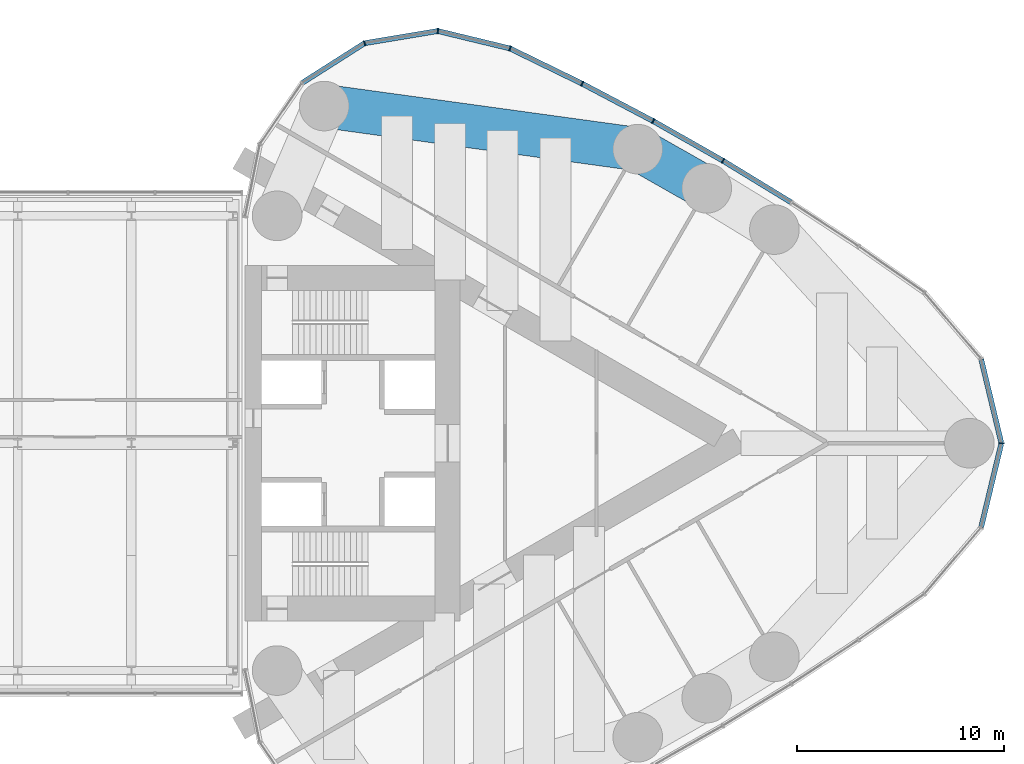
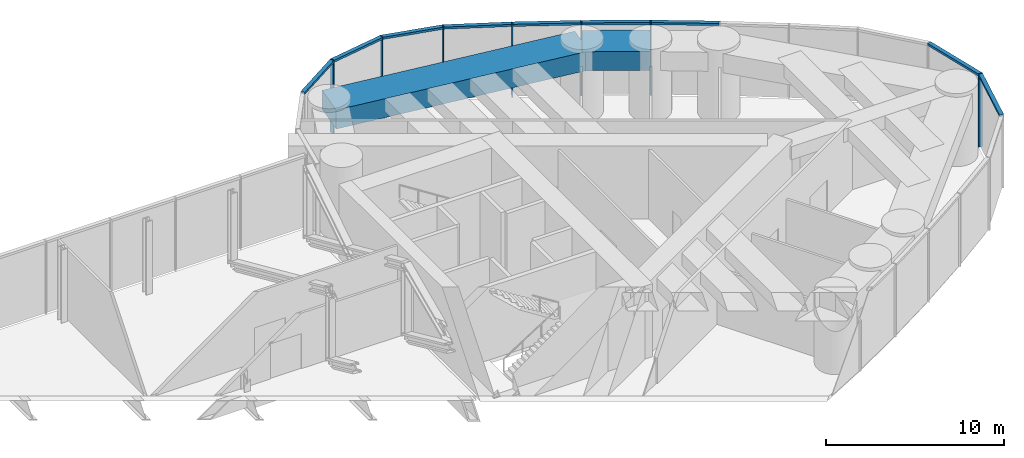
# One storey, part 12 of 19: 16 members, 2 beams, 1 element without a shape of its own.
"""IFC4 building model written with IfcOpenShell, lengths in metres."""

from ifc_helpers import new_model, si_unit, direction, frame, origin, origin_2d, place, context, subcontext, project, spatial, rectangle, extrude, material, material_profile, profile_set, type_object, element, aggregate, save


model = new_model("IFC4")

# Units and contexts
model_context = context("Model", 3, precision=1e-05, world=origin(), true_north=direction((0.0, 1.0)))
body_context = subcontext(model_context, "Body", "Model", "MODEL_VIEW")
ifc_project = project(units=[si_unit("LENGTHUNIT", "METRE"), si_unit("AREAUNIT", "SQUARE_METRE"), si_unit("VOLUMEUNIT", "CUBIC_METRE"), si_unit("PLANEANGLEUNIT", "RADIAN"), si_unit("MASSUNIT", "GRAM", prefix="KILO")], contexts=[model_context])

# Site, building, storey
site_placement = place(None, origin())
site = spatial("IfcSite", under=ifc_project, at=site_placement, CompositionType="ELEMENT")
building_placement = place(site_placement, origin())
building = spatial("IfcBuilding", under=site, at=building_placement, Name="Lancet Gate Hotel", CompositionType="ELEMENT")
storey_placement = place(building_placement, frame((0.0, 0.0, 263.300048828125)))
storey = spatial("IfcBuildingStorey", under=building, at=storey_placement, Name="L69", CompositionType="ELEMENT", Elevation=263.300048828125)

# Curtain wall, members
ifc_material_1 = material(Name="Aluminium curtain wall", Category="aluminium")
curtain_wall_type = type_object("IfcCurtainWallType", Name="Lantern crown glazing", PredefinedType="USERDEFINED", material=ifc_material_1)
curtain_wall_placement = place(storey_placement, origin())
curtain_wall = element("IfcCurtainWall", 1, at=curtain_wall_placement, inside=storey, type_object=curtain_wall_type, Name="T2 L69 curtain wall 1", ObjectType="LANTERN GLAZING", PredefinedType="USERDEFINED")
ifc_material_2 = material(Name="Aluminium mullion", Category="aluminium")
ifc_material_profile_1 = material_profile(ifc_material_2, rectangle(XDim=0.06494140625, YDim=0.25, at=origin_2d()), Name="MULLION 65x250")
ifc_profile_set_1 = profile_set([ifc_material_profile_1], Name="Aluminium mullion")
member_type_1 = type_object("IfcMemberType", Name="Aluminium mullion 65x250", PredefinedType="MULLION", material=ifc_profile_set_1)
member_1_placement = place(storey_placement, frame((64.09130859375, 0.0, 0.0), z_axis=(0.0, 0.0, 1.0), x_axis=(0.0, 1.0, 0.0)))
member_1 = element("IfcMember", 2, at=member_1_placement, type_object=member_type_1, Name="T2 L69 curtain wall 1 mullion 14", PredefinedType="MULLION", context=body_context, shape_type="SweptSolid", body=[
    extrude(rectangle(XDim=0.06494140625, YDim=0.25, at=origin_2d()), origin(), (0.0, 0.0, 1.0), 5.0),
])
member_2_placement = place(storey_placement, frame((50.62060546875, 13.667236328125, 0.0), z_axis=(0.0, 0.0, 1.0), x_axis=(-0.861691755738, 0.507432082247, 0.0)))
member_2 = element("IfcMember", 3, at=member_2_placement, type_object=member_type_1, Name="T2 L69 curtain wall 1 mullion 19", PredefinedType="MULLION", context=body_context, shape_type="SweptSolid", body=[
    extrude(rectangle(XDim=0.06494140625, YDim=0.25, at=origin_2d()), origin(), (0.0, 0.0, 1.0), 5.0),
])
member_3_placement = place(storey_placement, frame((47.24365234375, 15.585205078125, 0.0), z_axis=(0.0, 0.0, 1.0), x_axis=(-0.877194589488, 0.480135035352, 0.0)))
member_3 = element("IfcMember", 4, at=member_3_placement, type_object=member_type_1, Name="T2 L69 curtain wall 1 mullion 20", PredefinedType="MULLION", context=body_context, shape_type="SweptSolid", body=[
    extrude(rectangle(XDim=0.06494140625, YDim=0.25, at=origin_2d()), origin(), (0.0, 0.0, 1.0), 5.0),
])
member_4_placement = place(storey_placement, frame((43.80810546875, 17.396240234375, 0.0), z_axis=(0.0, 0.0, 1.0), x_axis=(-0.891832977257, 0.452364831389, 0.0)))
member_4 = element("IfcMember", 5, at=member_4_placement, type_object=member_type_1, Name="T2 L69 curtain wall 1 mullion 21", PredefinedType="MULLION", context=body_context, shape_type="SweptSolid", body=[
    extrude(rectangle(XDim=0.06494140625, YDim=0.25, at=origin_2d()), origin(), (0.0, 0.0, 1.0), 5.0),
])
member_5_placement = place(storey_placement, frame((40.3173828125, 19.098388671875, 0.0), z_axis=(0.0, 0.0, 1.0), x_axis=(-0.939483740419, 0.342593493061, 0.0)))
member_5 = element("IfcMember", 6, at=member_5_placement, type_object=member_type_1, Name="T2 L69 curtain wall 1 mullion 22", PredefinedType="MULLION", context=body_context, shape_type="SweptSolid", body=[
    extrude(rectangle(XDim=0.06494140625, YDim=0.25, at=origin_2d()), origin(), (0.0, 0.0, 1.0), 5.0),
])
member_6_placement = place(storey_placement, frame((36.826171875, 19.942138671875, 0.0), z_axis=(0.0, 0.0, 1.0), x_axis=(-0.999342744911, 0.03625021647, 0.0)))
member_6 = element("IfcMember", 7, at=member_6_placement, type_object=member_type_1, Name="T2 L69 curtain wall 1 mullion 23", PredefinedType="MULLION", context=body_context, shape_type="SweptSolid", body=[
    extrude(rectangle(XDim=0.06494140625, YDim=0.25, at=origin_2d()), origin(), (0.0, 0.0, 1.0), 5.0),
])
member_7_placement = place(storey_placement, frame((33.283203125, 19.353515625, 0.0), z_axis=(0.0, 0.0, 1.0), x_axis=(-0.93394321776, -0.357421412343, 0.0)))
member_7 = element("IfcMember", 8, at=member_7_placement, type_object=member_type_1, Name="T2 L69 curtain wall 1 mullion 24", PredefinedType="MULLION", context=body_context, shape_type="SweptSolid", body=[
    extrude(rectangle(XDim=0.06494140625, YDim=0.25, at=origin_2d()), origin(), (0.0, 0.0, 1.0), 5.0),
])
ifc_material_3 = material(Name="Aluminium transom", Category="aluminium")
ifc_material_profile_2 = material_profile(ifc_material_3, rectangle(XDim=0.25, YDim=0.14990234375, at=origin_2d()), Name="TRANSOM 250x150")
ifc_profile_set_2 = profile_set([ifc_material_profile_2], Name="Aluminium transom")
member_type_2 = type_object("IfcMemberType", Name="Aluminium transom 250x150", PredefinedType="USERDEFINED", material=ifc_profile_set_2)
member_8_placement = place(storey_placement, frame((63.114013671875, -4.06201171875, 4.925048828125), z_axis=(0.233920855872, 0.972255641891, 0.0), x_axis=(-0.972255641891, 0.233920855872, 0.0)))
member_8 = element("IfcMember", 9, at=member_8_placement, type_object=member_type_2, Name="T2 L69 curtain wall 1 transom 13", ObjectType="TRANSOM", PredefinedType="USERDEFINED", context=body_context, shape_type="SweptSolid", body=[
    extrude(rectangle(XDim=0.25, YDim=0.14990234375, at=origin_2d()), origin(), (0.0, 0.0, 1.0), 4.1455078125),
])
member_9_placement = place(storey_placement, frame((64.083740234375, 0.031494140625, 4.925048828125), z_axis=(-0.233920855872, 0.972255641891, 0.0), x_axis=(-0.972255641891, -0.233920855872, 0.0)))
member_9 = element("IfcMember", 10, at=member_9_placement, type_object=member_type_2, Name="T2 L69 curtain wall 1 transom 14", ObjectType="TRANSOM", PredefinedType="USERDEFINED", context=body_context, shape_type="SweptSolid", body=[
    extrude(rectangle(XDim=0.25, YDim=0.14990234375, at=origin_2d()), origin(), (0.0, 0.0, 1.0), 4.1455078125),
])
member_10_placement = place(storey_placement, frame((53.907958984375, 11.661376953125, 4.925048828125), z_axis=(-0.853638798527, 0.520865435261, 0.0), x_axis=(-0.520865435261, -0.853638798527, 0.0)))
member_10 = element("IfcMember", 11, at=member_10_placement, type_object=member_type_2, Name="T2 L69 curtain wall 1 transom 18", ObjectType="TRANSOM", PredefinedType="USERDEFINED", context=body_context, shape_type="SweptSolid", body=[
    extrude(rectangle(XDim=0.25, YDim=0.14990234375, at=origin_2d()), origin(), (0.0, 0.0, 1.0), 3.818603515625),
])
member_11_placement = place(storey_placement, frame((50.59228515625, 13.683349609375, 4.925048828125), z_axis=(-0.869562011924, 0.493823761496, 0.0), x_axis=(-0.493823761496, -0.869562011924, 0.0)))
member_11 = element("IfcMember", 12, at=member_11_placement, type_object=member_type_2, Name="T2 L69 curtain wall 1 transom 19", ObjectType="TRANSOM", PredefinedType="USERDEFINED", context=body_context, shape_type="SweptSolid", body=[
    extrude(rectangle(XDim=0.25, YDim=0.14990234375, at=origin_2d()), origin(), (0.0, 0.0, 1.0), 3.818603515625),
])
member_12_placement = place(storey_placement, frame((47.21484375, 15.600341796875, 4.925048828125), z_axis=(-0.884618491031, 0.466315478325, 0.0), x_axis=(-0.466315478325, -0.884618491031, 0.0)))
member_12 = element("IfcMember", 13, at=member_12_placement, type_object=member_type_2, Name="T2 L69 curtain wall 1 transom 20", ObjectType="TRANSOM", PredefinedType="USERDEFINED", context=body_context, shape_type="SweptSolid", body=[
    extrude(rectangle(XDim=0.25, YDim=0.14990234375, at=origin_2d()), origin(), (0.0, 0.0, 1.0), 3.81884765625),
])
member_13_placement = place(storey_placement, frame((43.77880859375, 17.410400390625, 4.925048828125), z_axis=(-0.898820051991, 0.438317823206, 0.0), x_axis=(-0.438317823206, -0.898820051991, 0.0)))
member_13 = element("IfcMember", 14, at=member_13_placement, type_object=member_type_2, Name="T2 L69 curtain wall 1 transom 21", ObjectType="TRANSOM", PredefinedType="USERDEFINED", context=body_context, shape_type="SweptSolid", body=[
    extrude(rectangle(XDim=0.25, YDim=0.14990234375, at=origin_2d()), origin(), (0.0, 0.0, 1.0), 3.81884765625),
])
member_14_placement = place(storey_placement, frame((40.28564453125, 19.10595703125, 4.925048828125), z_axis=(-0.972002653858, 0.234969872307, 0.0), x_axis=(-0.234969872307, -0.972002653858, 0.0)))
member_14 = element("IfcMember", 15, at=member_14_placement, type_object=member_type_2, Name="T2 L69 curtain wall 1 transom 22", ObjectType="TRANSOM", PredefinedType="USERDEFINED", context=body_context, shape_type="SweptSolid", body=[
    extrude(rectangle(XDim=0.25, YDim=0.14990234375, at=origin_2d()), origin(), (0.0, 0.0, 1.0), 3.5263671875),
])
member_15_placement = place(storey_placement, frame((36.794189453125, 19.936767578125, 4.925048828125), z_axis=(-0.986483584545, -0.163860115412, 0.0), x_axis=(0.163860115412, -0.986483584545, 0.0)))
member_15 = element("IfcMember", 16, at=member_15_placement, type_object=member_type_2, Name="T2 L69 curtain wall 1 transom 23", ObjectType="TRANSOM", PredefinedType="USERDEFINED", context=body_context, shape_type="SweptSolid", body=[
    extrude(rectangle(XDim=0.25, YDim=0.14990234375, at=origin_2d()), origin(), (0.0, 0.0, 1.0), 3.526611328125),
])
member_16_placement = place(storey_placement, frame((33.255859375, 19.336181640625, 4.925048828125), z_axis=(-0.84385811281, -0.536566384938, 0.0), x_axis=(0.536566384938, -0.84385811281, 0.0)))
member_16 = element("IfcMember", 17, at=member_16_placement, type_object=member_type_2, Name="T2 L69 curtain wall 1 transom 24", ObjectType="TRANSOM", PredefinedType="USERDEFINED", context=body_context, shape_type="SweptSolid", body=[
    extrude(rectangle(XDim=0.25, YDim=0.14990234375, at=origin_2d()), origin(), (0.0, 0.0, 1.0), 3.52685546875),
])
aggregate(curtain_wall, [member_1, member_2, member_3, member_4, member_5, member_6, member_7, member_8, member_9, member_10, member_11, member_12, member_13, member_14, member_15, member_16])

# Beams
ifc_material_4 = material(Name="Concrete C50/60", Category="concrete")
ifc_material_profile_3 = material_profile(ifc_material_4, rectangle(XDim=2.10009765625, YDim=1.300048828125, at=origin_2d()), Name="RC 2100x1300")
ifc_profile_set_3 = profile_set([ifc_material_profile_3], Name="Concrete C50/60")
beam_type = type_object("IfcBeamType", Name="Edge beam RC 2100x1300", PredefinedType="SPANDREL", material=ifc_profile_set_3)
beam_1_placement = place(storey_placement, frame((49.833984375, 12.331787109375, 4.099853515625), z_axis=(-0.869560321562, 0.493826738001, 0.0), x_axis=(-0.493826738001, -0.869560321562, 0.0)))
element("IfcBeam", 18, at=beam_1_placement, inside=storey, type_object=beam_type, Name="T2 edge beam EB1 L69", PredefinedType="SPANDREL", context=body_context, shape_type="SweptSolid", body=[
    extrude(rectangle(XDim=2.10009765625, YDim=1.300048828125, at=origin_2d()), origin(), (0.0, 0.0, 1.0), 3.8349609375),
])
beam_2_placement = place(storey_placement, frame((46.499267578125, 14.2255859375, 4.099853515625), z_axis=(-0.990685830783, 0.13616748762, 0.0), x_axis=(-0.13616748762, -0.990685830783, 0.0)))
element("IfcBeam", 19, at=beam_2_placement, inside=storey, type_object=beam_type, Name="T2 edge beam EB1 L69", PredefinedType="SPANDREL", context=body_context, shape_type="SweptSolid", body=[
    extrude(rectangle(XDim=2.10009765625, YDim=1.300048828125, at=origin_2d()), origin(), (0.0, 0.0, 1.0), 15.3134765625),
])

save(model, "model.ifc")
